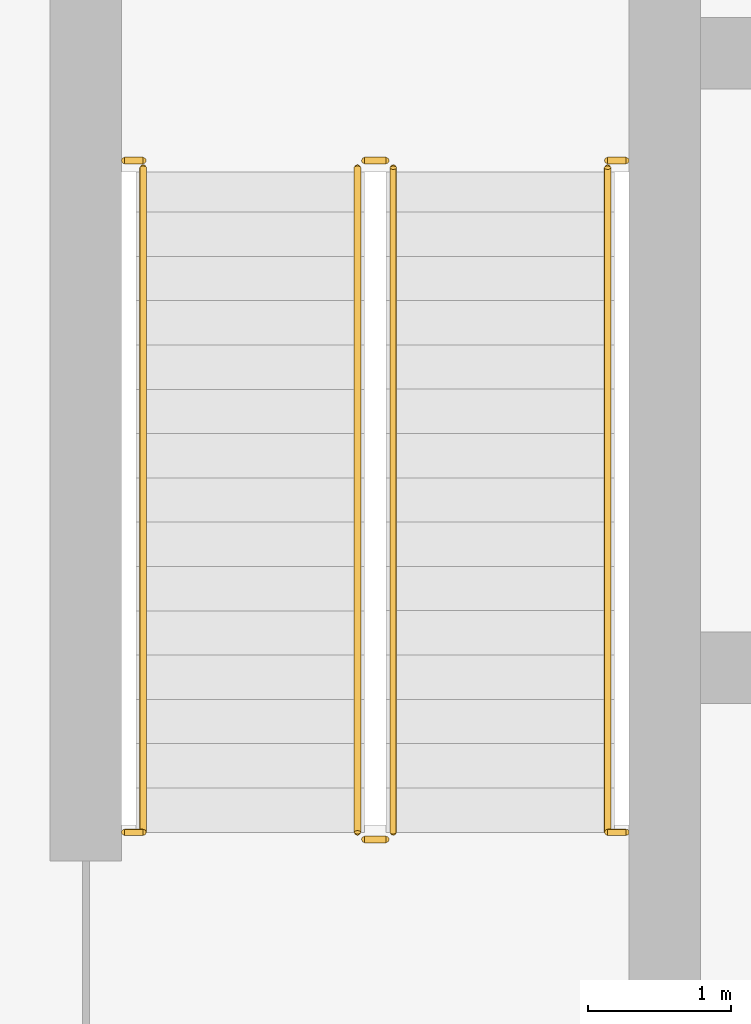
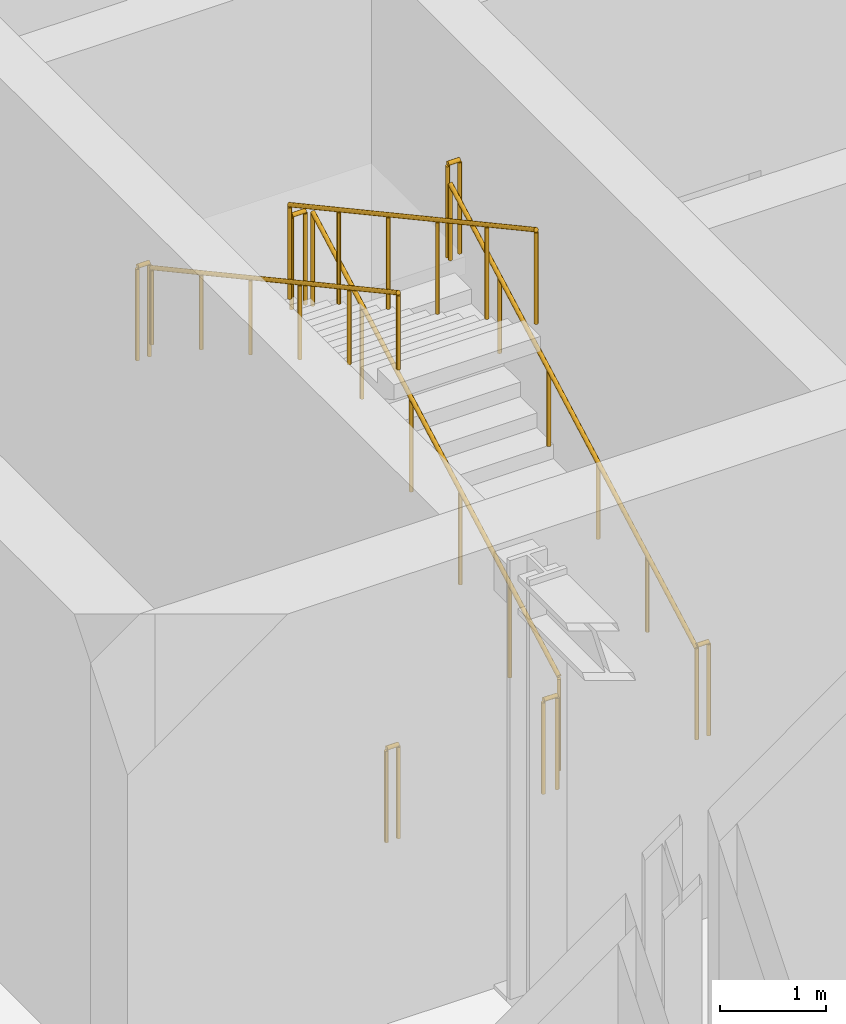
# One storey, part 19 of 22: 10 railings.
"""IFC4 building model written with IfcOpenShell, lengths in metres."""

from ifc_helpers import new_model, si_unit, direction, frame, origin, origin_2d, place, context, subcontext, project, spatial, circle, extrude, material, type_object, element, save


model = new_model("IFC4")

# Units and contexts
model_context = context("Model", 3, precision=1e-05, world=origin(), true_north=direction((0.0, 1.0)))
body_context = subcontext(model_context, "Body", "Model", "MODEL_VIEW")
ifc_project = project(units=[si_unit("LENGTHUNIT", "METRE"), si_unit("AREAUNIT", "SQUARE_METRE"), si_unit("VOLUMEUNIT", "CUBIC_METRE"), si_unit("PLANEANGLEUNIT", "RADIAN"), si_unit("MASSUNIT", "GRAM", prefix="KILO")], contexts=[model_context])

# Site, building, storey
site_placement = place(None, origin())
site = spatial("IfcSite", under=ifc_project, at=site_placement, CompositionType="ELEMENT")
building_placement = place(site_placement, origin())
building = spatial("IfcBuilding", under=site, at=building_placement, Name="Madar Terraces", CompositionType="ELEMENT")
storey_placement = place(building_placement, frame((0.0, 0.0, 203.39990234375)))
storey = spatial("IfcBuildingStorey", under=building, at=storey_placement, Name="L53", CompositionType="ELEMENT", Elevation=203.39990234375)

# Railings
ifc_material_1 = material(Name="Stainless steel railing", Category="steel")
railing_type_1 = type_object("IfcRailingType", Name="Stair guard 1100", PredefinedType="GUARDRAIL", material=ifc_material_1)
railing_1_placement = place(storey_placement, frame((21.199951171875, 17.60009765625, 0.1689453125)))
element("IfcRailing", 1, at=railing_1_placement, inside=storey, type_object=railing_type_1, Name="L53 ST1 stair guard 1", PredefinedType="GUARDRAIL", context=body_context, shape_type="SweptSolid", body=[
    extrude(circle(Radius=0.02392578125, at=origin_2d()), frame((0.0, 0.0, 1.076171875), z_axis=(0.0, 0.878297076953, 0.478115304728), x_axis=(-1.0, 0.0, 0.0)), (0.0, 0.0, 1.0), 5.294189453125),
    extrude(circle(Radius=0.02099609375, at=origin_2d()), origin(), (0.0, 0.0, 1.0), 1.052001953125),
    extrude(circle(Radius=0.02099609375, at=origin_2d()), frame((0.0, 0.929931640625, 0.50634765625)), (0.0, 0.0, 1.0), 1.052001953125),
    extrude(circle(Radius=0.02099609375, at=origin_2d()), frame((0.0, 1.85986328125, 1.012451171875)), (0.0, 0.0, 1.0), 1.052001953125),
    extrude(circle(Radius=0.02099609375, at=origin_2d()), frame((0.0, 2.7900390625, 1.518798828125)), (0.0, 0.0, 1.0), 1.052001953125),
    extrude(circle(Radius=0.02099609375, at=origin_2d()), frame((0.0, 3.719970703125, 2.02490234375)), (0.0, 0.0, 1.0), 1.052001953125),
    extrude(circle(Radius=0.02099609375, at=origin_2d()), frame((0.0, 4.64990234375, 2.53125)), (0.0, 0.0, 1.0), 1.052001953125),
])
railing_2_placement = place(storey_placement, frame((21.14990234375, 22.300048828125, 2.7001953125)))
element("IfcRailing", 2, at=railing_2_placement, inside=storey, type_object=railing_type_1, Name="L53 ST1 stair guard 2", PredefinedType="GUARDRAIL", context=body_context, shape_type="SweptSolid", body=[
    extrude(circle(Radius=0.02392578125, at=origin_2d()), frame((0.0, 0.0, 1.076171875), z_axis=(-1.0, 0.0, 0.0), x_axis=(0.0, -1.0, 0.0)), (0.0, 0.0, 1.0), 0.14990234375),
    extrude(circle(Radius=0.02099609375, at=origin_2d()), origin(), (0.0, 0.0, 1.0), 1.052001953125),
    extrude(circle(Radius=0.02099609375, at=origin_2d()), frame((-0.14990234375, 0.0, 0.0)), (0.0, 0.0, 1.0), 1.052001953125),
])
railing_3_placement = place(storey_placement, frame((20.949951171875, 22.25, 2.868896484375)))
element("IfcRailing", 3, at=railing_3_placement, inside=storey, type_object=railing_type_1, Name="L53 ST1 stair guard 3", PredefinedType="GUARDRAIL", context=body_context, shape_type="SweptSolid", body=[
    extrude(circle(Radius=0.02392578125, at=origin_2d()), frame((0.0, 0.0, 1.076171875), z_axis=(0.0, -0.878297076953, 0.478115304728), x_axis=(1.0, 0.0, 0.0)), (0.0, 0.0, 1.0), 5.294189453125),
    extrude(circle(Radius=0.02099609375, at=origin_2d()), origin(), (0.0, 0.0, 1.0), 1.052001953125),
    extrude(circle(Radius=0.02099609375, at=origin_2d()), frame((0.0, -0.929931640625, 0.50634765625)), (0.0, 0.0, 1.0), 1.052001953125),
    extrude(circle(Radius=0.02099609375, at=origin_2d()), frame((0.0, -1.85986328125, 1.012451171875)), (0.0, 0.0, 1.0), 1.052001953125),
    extrude(circle(Radius=0.02099609375, at=origin_2d()), frame((0.0, -2.7900390625, 1.518798828125)), (0.0, 0.0, 1.0), 1.052001953125),
    extrude(circle(Radius=0.02099609375, at=origin_2d()), frame((0.0, -3.719970703125, 2.02490234375)), (0.0, 0.0, 1.0), 1.052001953125),
    extrude(circle(Radius=0.02099609375, at=origin_2d()), frame((0.0, -4.64990234375, 2.53125)), (0.0, 0.0, 1.0), 1.052001953125),
])
railing_4_placement = place(storey_placement, frame((21.14990234375, 17.550048828125, 0.0)))
element("IfcRailing", 4, at=railing_4_placement, inside=storey, type_object=railing_type_1, Name="L53 ST1 stair guard 4", PredefinedType="GUARDRAIL", context=body_context, shape_type="SweptSolid", body=[
    extrude(circle(Radius=0.02392578125, at=origin_2d()), frame((0.0, 0.0, 1.076171875), z_axis=(-1.0, 0.0, 0.0), x_axis=(0.0, -1.0, 0.0)), (0.0, 0.0, 1.0), 0.14990234375),
    extrude(circle(Radius=0.02099609375, at=origin_2d()), origin(), (0.0, 0.0, 1.0), 1.052001953125),
    extrude(circle(Radius=0.02099609375, at=origin_2d()), frame((-0.14990234375, 0.0, 0.0)), (0.0, 0.0, 1.0), 1.052001953125),
])
railing_5_placement = place(storey_placement, frame((19.320068359375, 22.300048828125, 2.7001953125)))
element("IfcRailing", 5, at=railing_5_placement, inside=storey, type_object=railing_type_1, Name="L53 stair guard seat 1", PredefinedType="GUARDRAIL", context=body_context, shape_type="SweptSolid", body=[
    extrude(circle(Radius=0.02392578125, at=origin_2d()), frame((0.0, 0.0, 1.076171875), z_axis=(1.0, 0.0, 0.0), x_axis=(0.0, 1.0, 0.0)), (0.0, 0.0, 1.0), 0.1298828125),
    extrude(circle(Radius=0.02099609375, at=origin_2d()), origin(), (0.0, 0.0, 1.0), 1.052001953125),
    extrude(circle(Radius=0.02099609375, at=origin_2d()), frame((0.1298828125, 0.0, 0.0)), (0.0, 0.0, 1.0), 1.052001953125),
])
railing_6_placement = place(storey_placement, frame((22.699951171875, 22.300048828125, 2.7001953125)))
element("IfcRailing", 6, at=railing_6_placement, inside=storey, type_object=railing_type_1, Name="L53 stair guard seat 2", PredefinedType="GUARDRAIL", context=body_context, shape_type="SweptSolid", body=[
    extrude(circle(Radius=0.02392578125, at=origin_2d()), frame((0.0, 0.0, 1.076171875), z_axis=(1.0, 0.0, 0.0), x_axis=(0.0, 1.0, 0.0)), (0.0, 0.0, 1.0), 0.130126953125),
    extrude(circle(Radius=0.02099609375, at=origin_2d()), origin(), (0.0, 0.0, 1.0), 1.052001953125),
    extrude(circle(Radius=0.02099609375, at=origin_2d()), frame((0.130126953125, 0.0, 0.0)), (0.0, 0.0, 1.0), 1.052001953125),
])
railing_7_placement = place(storey_placement, frame((19.320068359375, 17.60009765625, 0.0)))
element("IfcRailing", 7, at=railing_7_placement, inside=storey, type_object=railing_type_1, Name="L53 stair guard floor 1", PredefinedType="GUARDRAIL", context=body_context, shape_type="SweptSolid", body=[
    extrude(circle(Radius=0.02392578125, at=origin_2d()), frame((0.0, 0.0, 1.076171875), z_axis=(1.0, 0.0, 0.0), x_axis=(0.0, 1.0, 0.0)), (0.0, 0.0, 1.0), 0.1298828125),
    extrude(circle(Radius=0.02099609375, at=origin_2d()), origin(), (0.0, 0.0, 1.0), 1.052001953125),
    extrude(circle(Radius=0.02099609375, at=origin_2d()), frame((0.1298828125, 0.0, 0.0)), (0.0, 0.0, 1.0), 1.052001953125),
])
railing_8_placement = place(storey_placement, frame((22.699951171875, 17.60009765625, 0.0)))
element("IfcRailing", 8, at=railing_8_placement, inside=storey, type_object=railing_type_1, Name="L53 stair guard floor 2", PredefinedType="GUARDRAIL", context=body_context, shape_type="SweptSolid", body=[
    extrude(circle(Radius=0.02392578125, at=origin_2d()), frame((0.0, 0.0, 1.076171875), z_axis=(1.0, 0.0, 0.0), x_axis=(0.0, 1.0, 0.0)), (0.0, 0.0, 1.0), 0.130126953125),
    extrude(circle(Radius=0.02099609375, at=origin_2d()), origin(), (0.0, 0.0, 1.0), 1.052001953125),
    extrude(circle(Radius=0.02099609375, at=origin_2d()), frame((0.130126953125, 0.0, 0.0)), (0.0, 0.0, 1.0), 1.052001953125),
])
ifc_material_2 = material(Name="Stainless steel railing", Category="steel")
railing_type_2 = type_object("IfcRailingType", Name="Stair handrail 900", PredefinedType="HANDRAIL", material=ifc_material_2)
railing_9_placement = place(storey_placement, frame((22.699951171875, 17.60009765625, 0.1689453125)))
element("IfcRailing", 9, at=railing_9_placement, inside=storey, type_object=railing_type_2, Name="L53 ST1 stair handrail 1", PredefinedType="HANDRAIL", context=body_context, shape_type="SweptSolid", body=[
    extrude(circle(Radius=0.02392578125, at=origin_2d()), frame((0.0, 0.0, 0.8759765625), z_axis=(0.0, 0.878297076953, 0.478115304728), x_axis=(-1.0, 0.0, 0.0)), (0.0, 0.0, 1.0), 5.294189453125),
    extrude(circle(Radius=0.02099609375, at=origin_2d()), origin(), (0.0, 0.0, 1.0), 0.851806640625),
    extrude(circle(Radius=0.02099609375, at=origin_2d()), frame((0.0, 0.929931640625, 0.50634765625)), (0.0, 0.0, 1.0), 0.851806640625),
    extrude(circle(Radius=0.02099609375, at=origin_2d()), frame((0.0, 1.85986328125, 1.012451171875)), (0.0, 0.0, 1.0), 0.851806640625),
    extrude(circle(Radius=0.02099609375, at=origin_2d()), frame((0.0, 2.7900390625, 1.518798828125)), (0.0, 0.0, 1.0), 0.851806640625),
    extrude(circle(Radius=0.02099609375, at=origin_2d()), frame((0.0, 3.719970703125, 2.02490234375)), (0.0, 0.0, 1.0), 0.851806640625),
    extrude(circle(Radius=0.02099609375, at=origin_2d()), frame((0.0, 4.64990234375, 2.53125)), (0.0, 0.0, 1.0), 0.851806640625),
])
railing_10_placement = place(storey_placement, frame((19.449951171875, 22.25, 2.868896484375)))
element("IfcRailing", 10, at=railing_10_placement, inside=storey, type_object=railing_type_2, Name="L53 ST1 stair handrail 2", PredefinedType="HANDRAIL", context=body_context, shape_type="SweptSolid", body=[
    extrude(circle(Radius=0.02392578125, at=origin_2d()), frame((0.0, 0.0, 0.8759765625), z_axis=(0.0, -0.878297076953, 0.478115304728), x_axis=(1.0, 0.0, 0.0)), (0.0, 0.0, 1.0), 5.294189453125),
    extrude(circle(Radius=0.02099609375, at=origin_2d()), origin(), (0.0, 0.0, 1.0), 0.851806640625),
    extrude(circle(Radius=0.02099609375, at=origin_2d()), frame((0.0, -0.929931640625, 0.50634765625)), (0.0, 0.0, 1.0), 0.851806640625),
    extrude(circle(Radius=0.02099609375, at=origin_2d()), frame((0.0, -1.85986328125, 1.012451171875)), (0.0, 0.0, 1.0), 0.851806640625),
    extrude(circle(Radius=0.02099609375, at=origin_2d()), frame((0.0, -2.7900390625, 1.518798828125)), (0.0, 0.0, 1.0), 0.851806640625),
    extrude(circle(Radius=0.02099609375, at=origin_2d()), frame((0.0, -3.719970703125, 2.02490234375)), (0.0, 0.0, 1.0), 0.851806640625),
    extrude(circle(Radius=0.02099609375, at=origin_2d()), frame((0.0, -4.64990234375, 2.53125)), (0.0, 0.0, 1.0), 0.851806640625),
])

save(model, "model.ifc")
